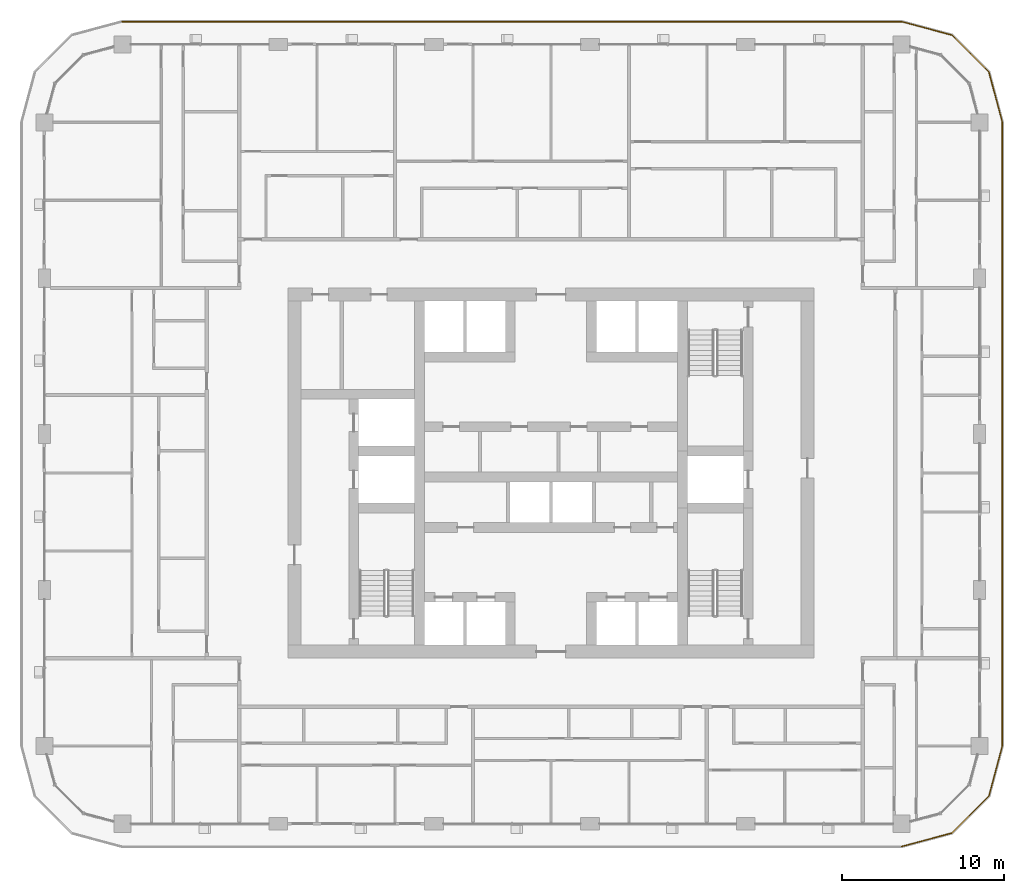
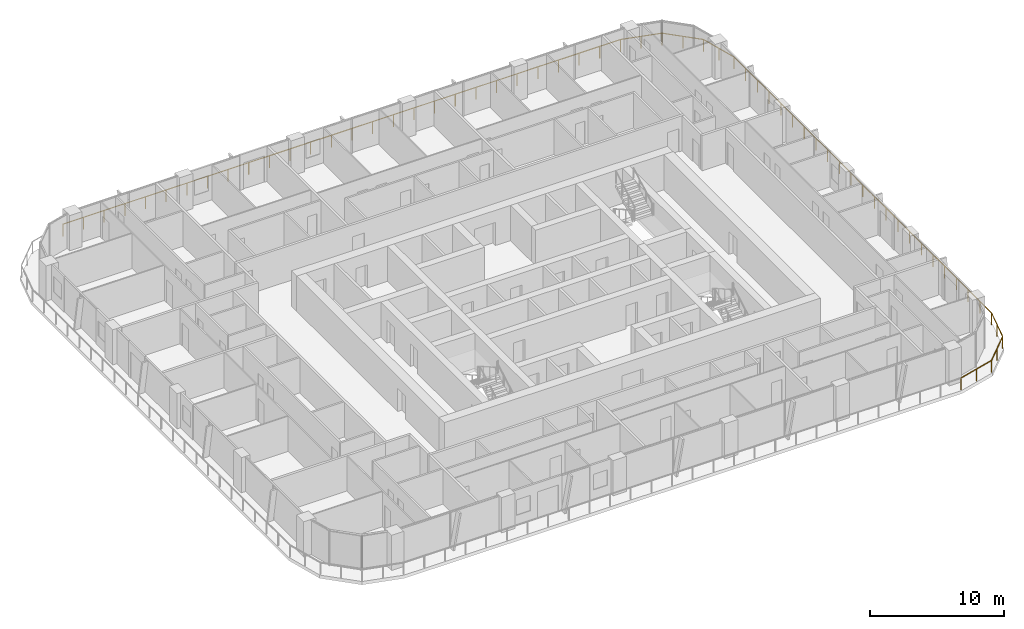
# One storey, part 20 of 22: 1 railing.
"""IFC4 building model written with IfcOpenShell, lengths in metres."""

from ifc_helpers import new_model, si_unit, direction, frame, origin, origin_2d, place, context, subcontext, project, spatial, circle, extrude, material, type_object, element, save


model = new_model("IFC4")

# Units and contexts
model_context = context("Model", 3, precision=1e-05, world=origin(), true_north=direction((0.0, 1.0)))
body_context = subcontext(model_context, "Body", "Model", "MODEL_VIEW")
ifc_project = project(units=[si_unit("LENGTHUNIT", "METRE"), si_unit("AREAUNIT", "SQUARE_METRE"), si_unit("VOLUMEUNIT", "CUBIC_METRE"), si_unit("PLANEANGLEUNIT", "RADIAN"), si_unit("MASSUNIT", "GRAM", prefix="KILO")], contexts=[model_context])

# Site, building, storey
site_placement = place(None, origin())
site = spatial("IfcSite", under=ifc_project, at=site_placement, CompositionType="ELEMENT")
building_placement = place(site_placement, origin())
building = spatial("IfcBuilding", under=site, at=building_placement, Name="Madar Terraces", CompositionType="ELEMENT")
storey_placement = place(building_placement, frame((0.0, 0.0, 136.60009765625)))
storey = spatial("IfcBuildingStorey", under=building, at=storey_placement, Name="L35", CompositionType="ELEMENT", Elevation=136.60009765625)

# Railing
ifc_material = material(Name="Glass, safety glazing, with stainless steel posts", Category="steel")
railing_type = type_object("IfcRailingType", Name="Balcony glass guard 1100", PredefinedType="GUARDRAIL", material=ifc_material)
railing_placement = place(storey_placement, frame((52.800048828125, 3.39990234375, 0.0)))
element("IfcRailing", 1, at=railing_placement, inside=storey, type_object=railing_type, Name="Balcony guard", PredefinedType="GUARDRAIL", context=body_context, shape_type="SweptSolid", body=[
    extrude(circle(Radius=0.02392578125, at=origin_2d()), frame((0.0, 0.0, 1.076171875), z_axis=(0.965909675762, 0.25887931217, 0.0), x_axis=(-0.25887931217, 0.965909675762, 0.0)), (0.0, 0.0, 1.0), 3.209228515625),
    extrude(circle(Radius=0.02392578125, at=origin_2d()), frame((3.099853515625, 0.830810546875, 1.076171875), z_axis=(0.707144815061, 0.707068745266, 0.0), x_axis=(-0.707068745266, 0.707144815061, 0.0)), (0.0, 0.0, 1.0), 3.20947265625),
    extrude(circle(Radius=0.02392578125, at=origin_2d()), frame((5.369384765625, 3.10009765625, 1.076171875), z_axis=(0.258789317819, 0.9659337912, 0.0), x_axis=(-0.9659337912, 0.258789317819, 0.0)), (0.0, 0.0, 1.0), 3.20947265625),
    extrude(circle(Radius=0.02392578125, at=origin_2d()), frame((6.199951171875, 6.2001953125, 1.076171875), z_axis=(0.0, 1.0, 0.0), x_axis=(-1.0, 0.0, 0.0)), (0.0, 0.0, 1.0), 38.39990234375),
    extrude(circle(Radius=0.02392578125, at=origin_2d()), frame((6.199951171875, 44.60009765625, 1.076171875), z_axis=(-0.258789317819, 0.9659337912, 0.0), x_axis=(-0.9659337912, -0.258789317819, 0.0)), (0.0, 0.0, 1.0), 3.20947265625),
    extrude(circle(Radius=0.02392578125, at=origin_2d()), frame((5.369384765625, 47.7001953125, 1.076171875), z_axis=(-0.707144815061, 0.707068745266, 0.0), x_axis=(-0.707068745266, -0.707144815061, 0.0)), (0.0, 0.0, 1.0), 3.20947265625),
    extrude(circle(Radius=0.02392578125, at=origin_2d()), frame((3.099853515625, 49.969482421875, 1.076171875), z_axis=(-0.965928696102, 0.258808334578, 0.0), x_axis=(-0.258808334578, -0.965928696102, 0.0)), (0.0, 0.0, 1.0), 3.209228515625),
    extrude(circle(Radius=0.02392578125, at=origin_2d()), frame((0.0, 50.800048828125, 1.076171875), z_axis=(-1.0, 0.0, 0.0), x_axis=(0.0, -1.0, 0.0)), (0.0, 0.0, 1.0), 48.0),
    extrude(circle(Radius=0.02099609375, at=origin_2d()), origin(), (0.0, 0.0, 1.0), 1.052001953125),
    extrude(circle(Radius=0.02099609375, at=origin_2d()), frame((1.5498046875, 0.41552734375, 0.0)), (0.0, 0.0, 1.0), 1.052001953125),
    extrude(circle(Radius=0.02099609375, at=origin_2d()), frame((3.099853515625, 0.830810546875, 0.0)), (0.0, 0.0, 1.0), 1.052001953125),
    extrude(circle(Radius=0.02099609375, at=origin_2d()), frame((4.234619140625, 1.96533203125, 0.0)), (0.0, 0.0, 1.0), 1.052001953125),
    extrude(circle(Radius=0.02099609375, at=origin_2d()), frame((5.369384765625, 3.10009765625, 0.0)), (0.0, 0.0, 1.0), 1.052001953125),
    extrude(circle(Radius=0.02099609375, at=origin_2d()), frame((5.78466796875, 4.650146484375, 0.0)), (0.0, 0.0, 1.0), 1.052001953125),
    extrude(circle(Radius=0.02099609375, at=origin_2d()), frame((6.199951171875, 6.2001953125, 0.0)), (0.0, 0.0, 1.0), 1.052001953125),
    extrude(circle(Radius=0.02099609375, at=origin_2d()), frame((6.199951171875, 7.945556640625, 0.0)), (0.0, 0.0, 1.0), 1.052001953125),
    extrude(circle(Radius=0.02099609375, at=origin_2d()), frame((6.199951171875, 9.691162109375, 0.0)), (0.0, 0.0, 1.0), 1.052001953125),
    extrude(circle(Radius=0.02099609375, at=origin_2d()), frame((6.199951171875, 11.4365234375, 0.0)), (0.0, 0.0, 1.0), 1.052001953125),
    extrude(circle(Radius=0.02099609375, at=origin_2d()), frame((6.199951171875, 13.181884765625, 0.0)), (0.0, 0.0, 1.0), 1.052001953125),
    extrude(circle(Radius=0.02099609375, at=origin_2d()), frame((6.199951171875, 14.927490234375, 0.0)), (0.0, 0.0, 1.0), 1.052001953125),
    extrude(circle(Radius=0.02099609375, at=origin_2d()), frame((6.199951171875, 16.6728515625, 0.0)), (0.0, 0.0, 1.0), 1.052001953125),
    extrude(circle(Radius=0.02099609375, at=origin_2d()), frame((6.199951171875, 18.41845703125, 0.0)), (0.0, 0.0, 1.0), 1.052001953125),
    extrude(circle(Radius=0.02099609375, at=origin_2d()), frame((6.199951171875, 20.163818359375, 0.0)), (0.0, 0.0, 1.0), 1.052001953125),
    extrude(circle(Radius=0.02099609375, at=origin_2d()), frame((6.199951171875, 21.9091796875, 0.0)), (0.0, 0.0, 1.0), 1.052001953125),
    extrude(circle(Radius=0.02099609375, at=origin_2d()), frame((6.199951171875, 23.65478515625, 0.0)), (0.0, 0.0, 1.0), 1.052001953125),
    extrude(circle(Radius=0.02099609375, at=origin_2d()), frame((6.199951171875, 25.400146484375, 0.0)), (0.0, 0.0, 1.0), 1.052001953125),
    extrude(circle(Radius=0.02099609375, at=origin_2d()), frame((6.199951171875, 27.1455078125, 0.0)), (0.0, 0.0, 1.0), 1.052001953125),
    extrude(circle(Radius=0.02099609375, at=origin_2d()), frame((6.199951171875, 28.89111328125, 0.0)), (0.0, 0.0, 1.0), 1.052001953125),
    extrude(circle(Radius=0.02099609375, at=origin_2d()), frame((6.199951171875, 30.636474609375, 0.0)), (0.0, 0.0, 1.0), 1.052001953125),
    extrude(circle(Radius=0.02099609375, at=origin_2d()), frame((6.199951171875, 32.3818359375, 0.0)), (0.0, 0.0, 1.0), 1.052001953125),
    extrude(circle(Radius=0.02099609375, at=origin_2d()), frame((6.199951171875, 34.12744140625, 0.0)), (0.0, 0.0, 1.0), 1.052001953125),
    extrude(circle(Radius=0.02099609375, at=origin_2d()), frame((6.199951171875, 35.872802734375, 0.0)), (0.0, 0.0, 1.0), 1.052001953125),
    extrude(circle(Radius=0.02099609375, at=origin_2d()), frame((6.199951171875, 37.618408203125, 0.0)), (0.0, 0.0, 1.0), 1.052001953125),
    extrude(circle(Radius=0.02099609375, at=origin_2d()), frame((6.199951171875, 39.36376953125, 0.0)), (0.0, 0.0, 1.0), 1.052001953125),
    extrude(circle(Radius=0.02099609375, at=origin_2d()), frame((6.199951171875, 41.109130859375, 0.0)), (0.0, 0.0, 1.0), 1.052001953125),
    extrude(circle(Radius=0.02099609375, at=origin_2d()), frame((6.199951171875, 42.854736328125, 0.0)), (0.0, 0.0, 1.0), 1.052001953125),
    extrude(circle(Radius=0.02099609375, at=origin_2d()), frame((6.199951171875, 44.60009765625, 0.0)), (0.0, 0.0, 1.0), 1.052001953125),
    extrude(circle(Radius=0.02099609375, at=origin_2d()), frame((5.78466796875, 46.150146484375, 0.0)), (0.0, 0.0, 1.0), 1.052001953125),
    extrude(circle(Radius=0.02099609375, at=origin_2d()), frame((5.369384765625, 47.7001953125, 0.0)), (0.0, 0.0, 1.0), 1.052001953125),
    extrude(circle(Radius=0.02099609375, at=origin_2d()), frame((4.234619140625, 48.8349609375, 0.0)), (0.0, 0.0, 1.0), 1.052001953125),
    extrude(circle(Radius=0.02099609375, at=origin_2d()), frame((3.099853515625, 49.969482421875, 0.0)), (0.0, 0.0, 1.0), 1.052001953125),
    extrude(circle(Radius=0.02099609375, at=origin_2d()), frame((1.5498046875, 50.384765625, 0.0)), (0.0, 0.0, 1.0), 1.052001953125),
    extrude(circle(Radius=0.02099609375, at=origin_2d()), frame((0.0, 50.800048828125, 0.0)), (0.0, 0.0, 1.0), 1.052001953125),
    extrude(circle(Radius=0.02099609375, at=origin_2d()), frame((-1.77783203125, 50.800048828125, 0.0)), (0.0, 0.0, 1.0), 1.052001953125),
    extrude(circle(Radius=0.02099609375, at=origin_2d()), frame((-3.5556640625, 50.800048828125, 0.0)), (0.0, 0.0, 1.0), 1.052001953125),
    extrude(circle(Radius=0.02099609375, at=origin_2d()), frame((-5.333251953125, 50.800048828125, 0.0)), (0.0, 0.0, 1.0), 1.052001953125),
    extrude(circle(Radius=0.02099609375, at=origin_2d()), frame((-7.111083984375, 50.800048828125, 0.0)), (0.0, 0.0, 1.0), 1.052001953125),
    extrude(circle(Radius=0.02099609375, at=origin_2d()), frame((-8.888916015625, 50.800048828125, 0.0)), (0.0, 0.0, 1.0), 1.052001953125),
    extrude(circle(Radius=0.02099609375, at=origin_2d()), frame((-10.666748046875, 50.800048828125, 0.0)), (0.0, 0.0, 1.0), 1.052001953125),
    extrude(circle(Radius=0.02099609375, at=origin_2d()), frame((-12.4443359375, 50.800048828125, 0.0)), (0.0, 0.0, 1.0), 1.052001953125),
    extrude(circle(Radius=0.02099609375, at=origin_2d()), frame((-14.22216796875, 50.800048828125, 0.0)), (0.0, 0.0, 1.0), 1.052001953125),
    extrude(circle(Radius=0.02099609375, at=origin_2d()), frame((-16.0, 50.800048828125, 0.0)), (0.0, 0.0, 1.0), 1.052001953125),
    extrude(circle(Radius=0.02099609375, at=origin_2d()), frame((-17.77783203125, 50.800048828125, 0.0)), (0.0, 0.0, 1.0), 1.052001953125),
    extrude(circle(Radius=0.02099609375, at=origin_2d()), frame((-19.5556640625, 50.800048828125, 0.0)), (0.0, 0.0, 1.0), 1.052001953125),
    extrude(circle(Radius=0.02099609375, at=origin_2d()), frame((-21.333251953125, 50.800048828125, 0.0)), (0.0, 0.0, 1.0), 1.052001953125),
    extrude(circle(Radius=0.02099609375, at=origin_2d()), frame((-23.111083984375, 50.800048828125, 0.0)), (0.0, 0.0, 1.0), 1.052001953125),
    extrude(circle(Radius=0.02099609375, at=origin_2d()), frame((-24.888916015625, 50.800048828125, 0.0)), (0.0, 0.0, 1.0), 1.052001953125),
    extrude(circle(Radius=0.02099609375, at=origin_2d()), frame((-26.666748046875, 50.800048828125, 0.0)), (0.0, 0.0, 1.0), 1.052001953125),
    extrude(circle(Radius=0.02099609375, at=origin_2d()), frame((-28.4443359375, 50.800048828125, 0.0)), (0.0, 0.0, 1.0), 1.052001953125),
    extrude(circle(Radius=0.02099609375, at=origin_2d()), frame((-30.22216796875, 50.800048828125, 0.0)), (0.0, 0.0, 1.0), 1.052001953125),
    extrude(circle(Radius=0.02099609375, at=origin_2d()), frame((-32.0, 50.800048828125, 0.0)), (0.0, 0.0, 1.0), 1.052001953125),
    extrude(circle(Radius=0.02099609375, at=origin_2d()), frame((-33.77783203125, 50.800048828125, 0.0)), (0.0, 0.0, 1.0), 1.052001953125),
    extrude(circle(Radius=0.02099609375, at=origin_2d()), frame((-35.5556640625, 50.800048828125, 0.0)), (0.0, 0.0, 1.0), 1.052001953125),
    extrude(circle(Radius=0.02099609375, at=origin_2d()), frame((-37.333251953125, 50.800048828125, 0.0)), (0.0, 0.0, 1.0), 1.052001953125),
    extrude(circle(Radius=0.02099609375, at=origin_2d()), frame((-39.111083984375, 50.800048828125, 0.0)), (0.0, 0.0, 1.0), 1.052001953125),
    extrude(circle(Radius=0.02099609375, at=origin_2d()), frame((-40.888916015625, 50.800048828125, 0.0)), (0.0, 0.0, 1.0), 1.052001953125),
    extrude(circle(Radius=0.02099609375, at=origin_2d()), frame((-42.666748046875, 50.800048828125, 0.0)), (0.0, 0.0, 1.0), 1.052001953125),
    extrude(circle(Radius=0.02099609375, at=origin_2d()), frame((-44.4443359375, 50.800048828125, 0.0)), (0.0, 0.0, 1.0), 1.052001953125),
    extrude(circle(Radius=0.02099609375, at=origin_2d()), frame((-46.22216796875, 50.800048828125, 0.0)), (0.0, 0.0, 1.0), 1.052001953125),
    extrude(circle(Radius=0.02099609375, at=origin_2d()), frame((-48.0, 50.800048828125, 0.0)), (0.0, 0.0, 1.0), 1.052001953125),
])

save(model, "model.ifc")
